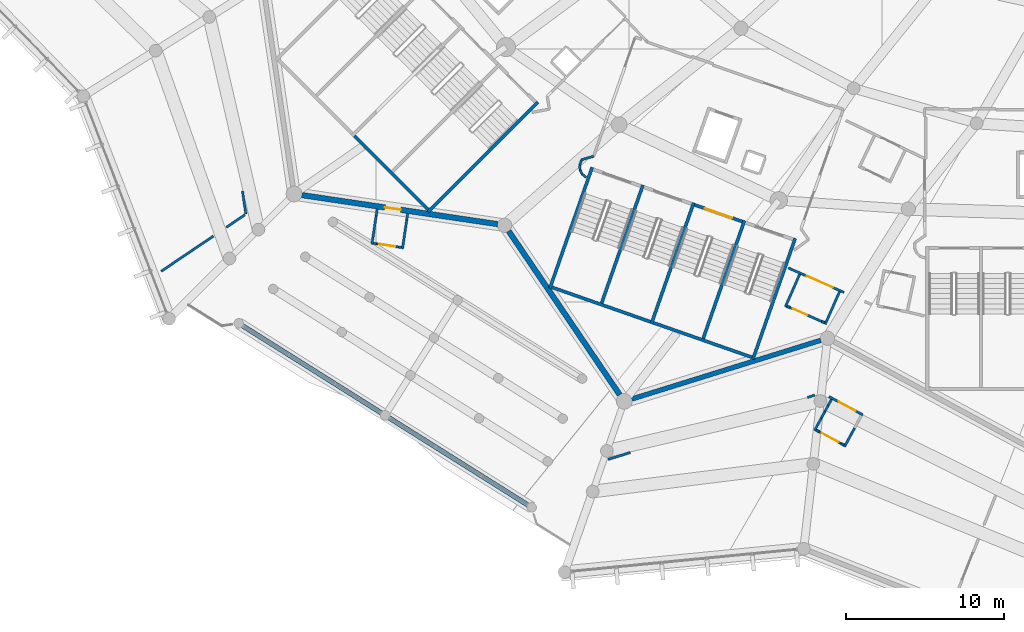
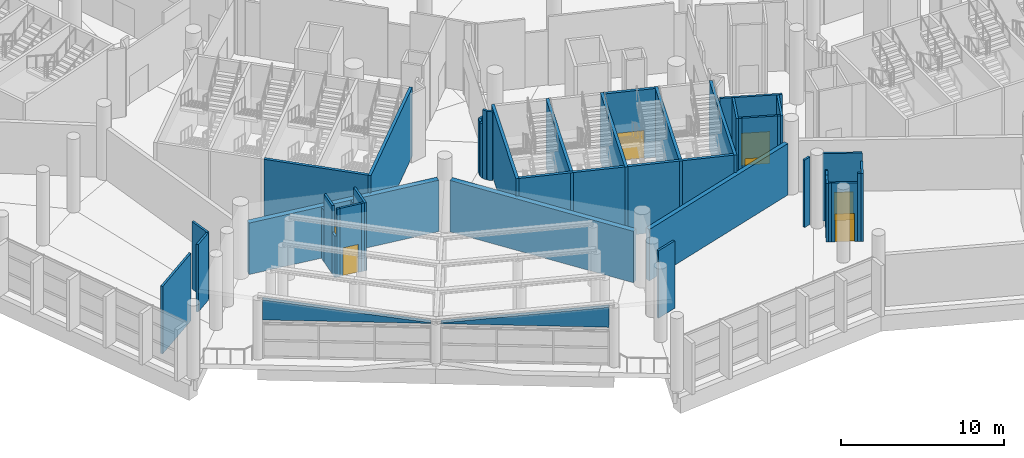
# One storey, part 157 of 271: 48 walls, 7 doors, 7 openings.
"""IFC4 building model written with IfcOpenShell, lengths in metres."""

from ifc_helpers import new_model, si_unit, direction, frame, frame_2d, origin, place, context, subcontext, project, spatial, polyline, rectangle, outline, extrude, material, layer, layer_set, type_object, element, fill, save


model = new_model("IFC4")

# Units and contexts
model_context = context("Model", 3, precision=1e-05, world=origin(), true_north=direction((0.0, 1.0)))
body_context = subcontext(model_context, "Body", "Model", "MODEL_VIEW")
ifc_project = project(units=[si_unit("LENGTHUNIT", "METRE"), si_unit("AREAUNIT", "SQUARE_METRE"), si_unit("VOLUMEUNIT", "CUBIC_METRE"), si_unit("PLANEANGLEUNIT", "RADIAN"), si_unit("MASSUNIT", "GRAM", prefix="KILO")], contexts=[model_context])

# Site, building, storey
site_placement = place(None, origin())
site = spatial("IfcSite", under=ifc_project, at=site_placement, CompositionType="ELEMENT")
building_placement = place(site_placement, origin())
building = spatial("IfcBuilding", under=site, at=building_placement, Name="Meseta Stadium", CompositionType="ELEMENT")
storey_placement = place(building_placement, frame((0.0, 0.0, 6.5)))
storey = spatial("IfcBuildingStorey", under=building, at=storey_placement, Name="L01", CompositionType="ELEMENT", Elevation=6.5)

# Walls
ifc_material_1 = material(Name="Concrete C40/50", Category="concrete")
ifc_layer_1 = layer(ifc_material_1, 0.199951171875)
ifc_layer_set_1 = layer_set([ifc_layer_1], Name="Core divider wall 200")
wall_type_1 = type_object("IfcWallType", Name="Core divider wall 200", PredefinedType="SHEAR", material=ifc_layer_set_1)
for number, where, z_axis, x_axis, name in (
    (1, (-65.789306640625, -96.260009765625, 0.0), (0.0, 0.0, 1.0), (0.330280610426, 0.943882788474, 0.0), "Core 22 L01 stair A divider wall"),
    (2, (-59.370849609375, -98.505859375, 0.0), (0.0, 0.0, 1.0), (0.330280610426, 0.943882788474, 0.0), "Core 22 L01 stair B divider wall"),
):
    element("IfcWall", number, at=place(storey_placement, frame(where, z_axis=z_axis, x_axis=x_axis)), inside=storey, type_object=wall_type_1, Name=name, PredefinedType="SHEAR", context=body_context, shape_type="SweptSolid", body=[
        extrude(rectangle(XDim=8.10009765625, YDim=0.199951171875, at=frame_2d((4.050048828125, 0.0))), origin(), (0.0, 0.0, 1.0), 5.14990234375),
    ])
ifc_material_2 = material(Name="Concrete C40/50", Category="concrete")
ifc_layer_2 = layer(ifc_material_2, 0.199951171875)
ifc_layer_set_2 = layer_set([ifc_layer_2], Name="Core shaft wall 200")
wall_type_2 = type_object("IfcWallType", Name="Core shaft wall 200", PredefinedType="SHEAR", material=ifc_layer_set_2)
wall_1_placement = place(storey_placement, frame((-76.6884765625, -90.30517578125, 0.0), z_axis=(0.0, 0.0, 1.0), x_axis=(0.707106781187, 0.707106781187, 0.0)))
element("IfcWall", 3, at=wall_1_placement, inside=storey, type_object=wall_type_2, Name="Core 21 L01 stair wall B-side", PredefinedType="SHEAR", context=body_context, shape_type="SweptSolid", body=[
    extrude(rectangle(XDim=9.800048828125, YDim=0.199951171875, at=frame_2d((4.89990234375, 0.0))), origin(), (0.0, 0.0, 1.0), 5.14990234375),
])
wall_2_placement = place(storey_placement, frame((-81.355224609375, -85.496826171875, 0.0), z_axis=(0.0, 0.0, 1.0), x_axis=(0.707088285305, -0.707125276584, 0.0)))
element("IfcWall", 4, at=wall_2_placement, inside=storey, type_object=wall_type_2, Name="Core 21 L01 stair B outer end wall", PredefinedType="SHEAR", context=body_context, shape_type="SweptSolid", body=[
    extrude(rectangle(XDim=6.599853515625, YDim=0.199951171875, at=frame_2d((3.2998046875, 0.0))), origin(), (0.0, 0.0, 1.0), 5.14990234375),
])
for number, where, z_axis, x_axis, name in (
    (5, (-68.998291015625, -95.136962890625, 0.0), (0.0, 0.0, 1.0), (0.330263153216, 0.943888896866, 0.0), "Core 22 L01 stair wall A-side"),
    (6, (-62.580078125, -97.3828125, 0.0), (0.0, 0.0, 1.0), (0.330290006891, 0.943879500438, 0.0), "Core 22 L01 stair wall shared"),
):
    element("IfcWall", number, at=place(storey_placement, frame(where, z_axis=z_axis, x_axis=x_axis)), inside=storey, type_object=wall_type_2, Name=name, PredefinedType="SHEAR", context=body_context, shape_type="SweptSolid", body=[
        extrude(rectangle(XDim=8.099853515625, YDim=0.199951171875, at=frame_2d((4.0498046875, 0.0))), origin(), (0.0, 0.0, 1.0), 5.14990234375),
    ])
wall_3_placement = place(storey_placement, frame((-56.16162109375, -99.62890625, 0.0), z_axis=(0.0, 0.0, 1.0), x_axis=(0.330280610426, 0.943882788474, 0.0)))
element("IfcWall", 7, at=wall_3_placement, inside=storey, type_object=wall_type_2, Name="Core 22 L01 stair wall B-side", PredefinedType="SHEAR", context=body_context, shape_type="SweptSolid", body=[
    extrude(rectangle(XDim=8.10009765625, YDim=0.199951171875, at=frame_2d((4.050048828125, 0.0))), origin(), (0.0, 0.0, 1.0), 5.14990234375),
])
for number, where, z_axis, x_axis, name in (
    (8, (-68.87109375, -95.07568359375, 0.0), (0.0, 0.0, 1.0), (0.943880844925, -0.330286164688, 0.0), "Core 22 L01 stair A outer end wall"),
    (9, (-62.45263671875, -97.321533203125, 0.0), (0.0, 0.0, 1.0), (0.943880844925, -0.330286164688, 0.0), "Core 22 L01 stair B outer end wall"),
):
    element("IfcWall", number, at=place(storey_placement, frame(where, z_axis=z_axis, x_axis=x_axis)), inside=storey, type_object=wall_type_2, Name=name, PredefinedType="SHEAR", context=body_context, shape_type="SweptSolid", body=[
        extrude(rectangle(XDim=6.60009765625, YDim=0.199951171875, at=frame_2d((3.300048828125, 0.0))), origin(), (0.0, 0.0, 1.0), 5.14990234375),
    ])

# Wall, opening, door
wall_4_placement = place(storey_placement, frame((-59.843505859375, -89.864990234375, 0.0), z_axis=(0.0, 0.0, 1.0), x_axis=(0.943886898693, -0.330268863922, 0.0)))
wall_4 = element("IfcWall", 10, at=wall_4_placement, inside=storey, type_object=wall_type_2, Name="Core 22 L01 stair B1 inner end wall", PredefinedType="SHEAR", context=body_context, shape_type="SweptSolid", body=[
    extrude(rectangle(XDim=3.2001953125, YDim=0.199951171875, at=frame_2d((1.60009765625, 0.0))), origin(), (0.0, 0.0, 1.0), 5.14990234375),
])
opening_1_placement = place(wall_4_placement, frame((0.699951171875, 0.0, 0.0)))
opening_1 = element("IfcOpeningElement", 11, at=opening_1_placement, cuts=wall_4, Name="Opening D303", PredefinedType="OPENING", context=body_context, shape_type="SweptSolid", body=[
    extrude(rectangle(XDim=1.800048828125, YDim=2.10009765625, at=frame_2d((0.89990234375, 1.050048828125))), frame((0.0, 0.10986328125, 0.0), z_axis=(0.0, -1.0, 0.0), x_axis=(1.0, 0.0, 0.0)), (0.0, 0.0, 1.0), 0.219970703125),
])
ifc_material_3 = material(Name="Steel", Category="steel")
door_type_1 = type_object("IfcDoorType", Name="Stair door 1800x2100", OperationType="DOUBLE_DOOR_SINGLE_SWING", PredefinedType="DOOR", material=ifc_material_3)
door_1_placement = place(opening_1_placement, origin())
door_1 = element("IfcDoor", 12, at=door_1_placement, inside=storey, type_object=door_type_1, Name="Stair B1 door 22 L01", OperationType="DOUBLE_DOOR_SINGLE_SWING", OverallHeight=2.10009765625, OverallWidth=1.800048828125, PredefinedType="DOOR", context=body_context, shape_type="SweptSolid", body=[
    extrude(rectangle(XDim=1.800048828125, YDim=2.10009765625, at=frame_2d((0.89990234375, 1.050048828125))), frame((0.0, 0.02490234375, 0.0), z_axis=(0.0, -1.0, 0.0), x_axis=(1.0, 0.0, 0.0)), (0.0, 0.0, 1.0), 0.050048828125),
])
fill(opening_1, door_1)

# Walls
ifc_material_4 = material(Name="Precast concrete C40/50", Category="concrete")
ifc_layer_3 = layer(ifc_material_4, 0.300048828125)
ifc_layer_set_3 = layer_set([ifc_layer_3], Name="Gate facade panel wall 300")
wall_type_3 = type_object("IfcWallType", Name="Gate facade panel wall 300", PredefinedType="SOLIDWALL", material=ifc_layer_set_3)
wall_5_placement = place(storey_placement, frame((-88.415283203125, -97.516845703125, 2.924560546875), z_axis=(0.0, 0.0, 1.0), x_axis=(0.846725649112, -0.532029769032, 0.0)))
element("IfcWall", 13, at=wall_5_placement, inside=storey, type_object=wall_type_3, Name="Gate 6 gable panel wall", PredefinedType="SOLIDWALL", context=body_context, shape_type="SweptSolid", body=[
    extrude(outline(polyline([(0.0, 0.0), (10.333740234375, 0.0), (10.333740234375, 0.052001953125), (0.0, 1.498779296875), (0.0, 0.0)])), frame((0.0, 0.14990234375, 0.0), z_axis=(0.0, -1.0, 0.0), x_axis=(1.0, 0.0, 0.0)), (0.0, 0.0, 1.0), 0.300048828125),
])
wall_6_placement = place(storey_placement, frame((-79.15771484375, -103.333984375, 2.924560546875), z_axis=(0.0, 0.0, 1.0), x_axis=(0.846732336333, -0.532019126168, 0.0)))
element("IfcWall", 14, at=wall_6_placement, inside=storey, type_object=wall_type_3, Name="Gate 6 gable panel wall", PredefinedType="SOLIDWALL", context=body_context, shape_type="SweptSolid", body=[
    extrude(outline(polyline([(0.0, 0.0), (10.333740234375, 0.0), (10.333740234375, 1.498779296875), (0.0, 0.052001953125), (0.0, 0.0)])), frame((0.0, 0.14990234375, 0.0), z_axis=(0.0, -1.0, 0.0), x_axis=(1.0, 0.0, 0.0)), (0.0, 0.0, 1.0), 0.300048828125),
])

# Wall, opening, door
ifc_material_5 = material(Name="Masonry blockwork", Category="masonry")
ifc_layer_4 = layer(ifc_material_5, 0.14990234375)
ifc_layer_set_4 = layer_set([ifc_layer_4], Name="Partition 150")
wall_type_4 = type_object("IfcWallType", Name="Partition 150", PredefinedType="PARTITIONING", material=ifc_layer_set_4)
wall_7_placement = place(storey_placement, frame((-53.927490234375, -93.849853515625, 0.0), z_axis=(0.0, 0.0, 1.0), x_axis=(0.915527241614, -0.402255975546, 0.0)))
wall_7 = element("IfcWall", 15, at=wall_7_placement, inside=storey, type_object=wall_type_4, Name="Partition L01 L01-cell21-2-0", PredefinedType="PARTITIONING", context=body_context, shape_type="SweptSolid", body=[
    extrude(rectangle(XDim=3.8486328125, YDim=0.14990234375, at=frame_2d((1.92431640625, 0.0))), origin(), (0.0, 0.0, 1.0), 5.14990234375),
])
opening_2_placement = place(wall_7_placement, frame((1.300048828125, 0.0, 0.0)))
opening_2 = element("IfcOpeningElement", 16, at=opening_2_placement, cuts=wall_7, Name="Opening D993", PredefinedType="OPENING", context=body_context, shape_type="SweptSolid", body=[
    extrude(rectangle(XDim=1.800048828125, YDim=2.39990234375, at=frame_2d((0.89990234375, 1.199951171875))), frame((0.0, 0.0849609375, 0.0), z_axis=(0.0, -1.0, 0.0), x_axis=(1.0, 0.0, 0.0)), (0.0, 0.0, 1.0), 0.169921875),
])
ifc_material_6 = material(Name="Steel", Category="steel")
door_type_2 = type_object("IfcDoorType", Name="Fire double door 1800x2400 EI2 60", OperationType="DOUBLE_DOOR_SINGLE_SWING", PredefinedType="DOOR", material=ifc_material_6)
door_2_placement = place(opening_2_placement, origin())
door_2 = element("IfcDoor", 17, at=door_2_placement, inside=storey, type_object=door_type_2, Name="Concourse door", OperationType="DOUBLE_DOOR_SINGLE_SWING", OverallHeight=2.39990234375, OverallWidth=1.800048828125, PredefinedType="DOOR", context=body_context, shape_type="SweptSolid", body=[
    extrude(rectangle(XDim=1.800048828125, YDim=2.39990234375, at=frame_2d((0.89990234375, 1.199951171875))), frame((0.0, 0.02490234375, 0.0), z_axis=(0.0, -1.0, 0.0), x_axis=(1.0, 0.0, 0.0)), (0.0, 0.0, 1.0), 0.050048828125),
])
fill(opening_2, door_2)

# Walls
wall_8_placement = place(storey_placement, frame((-88.4375, -88.9794921875, 0.0), z_axis=(0.0, 0.0, 1.0), x_axis=(0.146804847774, -0.989165474868, 0.0)))
element("IfcWall", 18, at=wall_8_placement, inside=storey, type_object=wall_type_4, Name="Partition L01 L01-ring19-0", PredefinedType="PARTITIONING", context=body_context, shape_type="SweptSolid", body=[
    extrude(rectangle(XDim=1.485107421875, YDim=0.14990234375, at=frame_2d((0.74267578125, 0.0))), origin(), (0.0, 0.0, 1.0), 5.050048828125),
])
wall_9_placement = place(storey_placement, frame((-88.288330078125, -90.4951171875, 0.0), z_axis=(0.0, 0.0, 1.0), x_axis=(-0.828834599632, -0.559493705464, 0.0)))
element("IfcWall", 19, at=wall_9_placement, inside=storey, type_object=wall_type_4, Name="Partition L01 L01-ring19-0", PredefinedType="PARTITIONING", context=body_context, shape_type="SweptSolid", body=[
    extrude(rectangle(XDim=1.40771484375, YDim=0.14990234375, at=frame_2d((0.703857421875, 0.0))), origin(), (0.0, 0.0, 1.0), 5.050048828125),
])
wall_10_placement = place(storey_placement, frame((-90.278564453125, -91.838623046875, 0.0), z_axis=(0.0, 0.0, 1.0), x_axis=(-0.828823753048, -0.559509773269, 0.0)))
element("IfcWall", 20, at=wall_10_placement, inside=storey, type_object=wall_type_4, Name="Partition L01 L01-ring19-0", PredefinedType="PARTITIONING", context=body_context, shape_type="SweptSolid", body=[
    extrude(rectangle(XDim=3.97509765625, YDim=0.14990234375, at=frame_2d((1.987548828125, 0.0))), origin(), (0.0, 0.0, 1.0), 5.050048828125),
])
wall_11_placement = place(storey_placement, frame((-65.31591796875, -105.958984375, 0.0), z_axis=(0.0, 0.0, 1.0), x_axis=(0.954867270895, 0.297032818008, 0.0)))
element("IfcWall", 21, at=wall_11_placement, inside=storey, type_object=wall_type_4, Name="Partition L01 L01-ring21-0", PredefinedType="PARTITIONING", context=body_context, shape_type="SweptSolid", body=[
    extrude(rectangle(XDim=1.46630859375, YDim=0.14990234375, at=frame_2d((0.733154296875, 0.0))), origin(), (0.0, 0.0, 1.0), 5.050048828125),
])
wall_12_placement = place(storey_placement, frame((-52.713623046875, -102.041015625, 0.0), z_axis=(0.0, 0.0, 1.0), x_axis=(0.954976336525, 0.296681979025, 0.0)))
element("IfcWall", 22, at=wall_12_placement, inside=storey, type_object=wall_type_4, Name="Partition L01 L01-ring21-0", PredefinedType="PARTITIONING", context=body_context, shape_type="SweptSolid", body=[
    extrude(rectangle(XDim=0.48876953125, YDim=0.14990234375, at=frame_2d((0.244384765625, 0.0))), origin(), (0.0, 0.0, 1.0), 5.050048828125),
])

# Wall, opening, door
wall_13_placement = place(storey_placement, frame((-51.351318359375, -101.983154296875, 0.0), z_axis=(0.0, 0.0, 1.0), x_axis=(0.879139929893, -0.476563724666, 0.0)))
wall_13 = element("IfcWall", 23, at=wall_13_placement, inside=storey, type_object=wall_type_4, Name="Partition L01 L01-ring21-0", PredefinedType="PARTITIONING", context=body_context, shape_type="SweptSolid", body=[
    extrude(rectangle(XDim=2.4384765625, YDim=0.14990234375, at=frame_2d((1.21923828125, 0.0))), origin(), (0.0, 0.0, 1.0), 5.050048828125),
])
opening_3_placement = place(wall_13_placement, frame((0.699951171875, 0.0, 0.0)))
opening_3 = element("IfcOpeningElement", 24, at=opening_3_placement, cuts=wall_13, Name="Opening D699", PredefinedType="OPENING", context=body_context, shape_type="SweptSolid", body=[
    extrude(rectangle(XDim=1.199951171875, YDim=2.10009765625, at=frame_2d((0.60009765625, 1.050048828125))), frame((0.0, 0.0849609375, 0.0), z_axis=(0.0, -1.0, 0.0), x_axis=(1.0, 0.0, 0.0)), (0.0, 0.0, 1.0), 0.169921875),
])
ifc_material_7 = material(Name="Steel", Category="steel")
door_type_3 = type_object("IfcDoorType", Name="Fire door 1200x2100 EI2 60", OperationType="NOTDEFINED", PredefinedType="DOOR", material=ifc_material_7)
door_3_placement = place(opening_3_placement, origin())
door_3 = element("IfcDoor", 25, at=door_3_placement, inside=storey, type_object=door_type_3, Name="Door D699", OperationType="SINGLE_SWING_RIGHT", OverallHeight=2.10009765625, OverallWidth=1.199951171875, PredefinedType="DOOR", context=body_context, shape_type="SweptSolid", body=[
    extrude(rectangle(XDim=1.199951171875, YDim=2.10009765625, at=frame_2d((0.60009765625, 1.050048828125))), frame((0.0, 0.02490234375, 0.0), z_axis=(0.0, -1.0, 0.0), x_axis=(1.0, 0.0, 0.0)), (0.0, 0.0, 1.0), 0.050048828125),
])
fill(opening_3, door_3)

# Walls
wall_14_placement = place(storey_placement, frame((-66.99853515625, -87.010009765625, 0.0), z_axis=(0.0, 0.0, 1.0), x_axis=(-0.293078832254, -0.956088279441, 0.0)))
element("IfcWall", 26, at=wall_14_placement, inside=storey, type_object=wall_type_4, Name="Stair vestibule wall L01 core 22", PredefinedType="PARTITIONING", context=body_context, shape_type="SweptSolid", body=[
    extrude(rectangle(XDim=0.374755859375, YDim=0.14990234375, at=frame_2d((0.1875, 0.0))), origin(), (0.0, 0.0, 1.0), 4.050048828125),
])
wall_15_placement = place(storey_placement, frame((-67.1083984375, -87.368408203125, 0.0), z_axis=(0.0, 0.0, 1.0), x_axis=(0.056285305436, -0.998414725649, 0.0)))
element("IfcWall", 27, at=wall_15_placement, inside=storey, type_object=wall_type_4, Name="Stair vestibule wall L01 core 22", PredefinedType="PARTITIONING", context=body_context, shape_type="SweptSolid", body=[
    extrude(rectangle(XDim=0.281982421875, YDim=0.14990234375, at=frame_2d((0.14111328125, 0.0))), origin(), (0.0, 0.0, 1.0), 4.050048828125),
])
wall_16_placement = place(storey_placement, frame((-67.092529296875, -87.64990234375, 0.0), z_axis=(0.0, 0.0, 1.0), x_axis=(0.43378984255, -0.901014080079, 0.0)))
element("IfcWall", 28, at=wall_16_placement, inside=storey, type_object=wall_type_4, Name="Stair vestibule wall L01 core 22", PredefinedType="PARTITIONING", context=body_context, shape_type="SweptSolid", body=[
    extrude(rectangle(XDim=0.28466796875, YDim=0.14990234375, at=frame_2d((0.142333984375, 0.0))), origin(), (0.0, 0.0, 1.0), 5.14990234375),
])
wall_17_placement = place(storey_placement, frame((-66.968994140625, -87.906494140625, 0.0), z_axis=(0.0, 0.0, 1.0), x_axis=(0.770463975756, -0.63748353866, 0.0)))
element("IfcWall", 29, at=wall_17_placement, inside=storey, type_object=wall_type_4, Name="Stair vestibule wall L01 core 22", PredefinedType="PARTITIONING", context=body_context, shape_type="SweptSolid", body=[
    extrude(rectangle(XDim=0.356201171875, YDim=0.14990234375, at=frame_2d((0.17822265625, 0.0))), origin(), (0.0, 0.0, 1.0), 5.14990234375),
])
wall_18_placement = place(storey_placement, frame((-66.231689453125, -86.791748046875, 0.0), z_axis=(0.0, 0.0, 1.0), x_axis=(-0.962031488022, -0.27293848401, 0.0)))
element("IfcWall", 30, at=wall_18_placement, inside=storey, type_object=wall_type_4, Name="Stair vestibule wall L01 core 22", PredefinedType="PARTITIONING", context=body_context, shape_type="SweptSolid", body=[
    extrude(rectangle(XDim=0.796142578125, YDim=0.14990234375, at=frame_2d((0.39794921875, 0.0))), origin(), (0.0, 0.0, 1.0), 4.050048828125),
])
wall_19_placement = place(storey_placement, frame((-77.989990234375, -90.417236328125, 0.0), z_axis=(0.0, 0.0, 1.0), x_axis=(-0.147040245885, -0.98913051014, 0.0)))
element("IfcWall", 31, at=wall_19_placement, inside=storey, type_object=wall_type_4, Name="Partition L01 G6-L01-0-GateLounge-0 vestibule", PredefinedType="PARTITIONING", context=body_context, shape_type="SweptSolid", body=[
    extrude(rectangle(XDim=0.449951171875, YDim=0.14990234375, at=frame_2d((0.22509765625, 0.0))), origin(), (0.0, 0.0, 1.0), 3.85009765625),
])
wall_20_placement = place(storey_placement, frame((-78.05615234375, -90.8623046875, 0.0), z_axis=(0.0, 0.0, 1.0), x_axis=(-0.146755111639, -0.98917285507, 0.0)))
element("IfcWall", 32, at=wall_20_placement, inside=storey, type_object=wall_type_4, Name="Partition L01 G6-L01-0-GateLounge-0 vestibule", PredefinedType="PARTITIONING", context=body_context, shape_type="SweptSolid", body=[
    extrude(rectangle(XDim=1.800048828125, YDim=0.14990234375, at=frame_2d((0.89990234375, 0.0))), origin(), (0.0, 0.0, 1.0), 5.10009765625),
])
wall_21_placement = place(storey_placement, frame((-79.918701171875, -90.130859375, 0.0), z_axis=(0.0, 0.0, 1.0), x_axis=(-0.147040245885, -0.98913051014, 0.0)))
element("IfcWall", 33, at=wall_21_placement, inside=storey, type_object=wall_type_4, Name="Partition L01 G6-L01-0-GateLounge-0 vestibule", PredefinedType="PARTITIONING", context=body_context, shape_type="SweptSolid", body=[
    extrude(rectangle(XDim=0.449951171875, YDim=0.14990234375, at=frame_2d((0.22509765625, 0.0))), origin(), (0.0, 0.0, 1.0), 3.85009765625),
])
wall_22_placement = place(storey_placement, frame((-79.98486328125, -90.575927734375, 0.0), z_axis=(0.0, 0.0, 1.0), x_axis=(-0.146837017969, -0.989160699863, 0.0)))
element("IfcWall", 34, at=wall_22_placement, inside=storey, type_object=wall_type_4, Name="Partition L01 G6-L01-0-GateLounge-0 vestibule", PredefinedType="PARTITIONING", context=body_context, shape_type="SweptSolid", body=[
    extrude(rectangle(XDim=1.35009765625, YDim=0.14990234375, at=frame_2d((0.675048828125, 0.0))), origin(), (0.0, 0.0, 1.0), 5.10009765625),
])
wall_23_placement = place(storey_placement, frame((-80.18310546875, -91.911376953125, 0.0), z_axis=(0.0, 0.0, 1.0), x_axis=(-0.147040245885, -0.98913051014, 0.0)))
element("IfcWall", 35, at=wall_23_placement, inside=storey, type_object=wall_type_4, Name="Partition L01 G6-L01-0-GateLounge-0 vestibule", PredefinedType="PARTITIONING", context=body_context, shape_type="SweptSolid", body=[
    extrude(rectangle(XDim=0.449951171875, YDim=0.14990234375, at=frame_2d((0.22509765625, 0.0))), origin(), (0.0, 0.0, 1.0), 3.106689453125),
])
wall_24_placement = place(storey_placement, frame((-80.1640625, -92.293212890625, 0.0), z_axis=(0.0, 0.0, 1.0), x_axis=(0.989203462354, -0.146548661089, 0.0)))
element("IfcWall", 36, at=wall_24_placement, inside=storey, type_object=wall_type_4, Name="Partition L01 G6-L01-0-GateLounge-0 vestibule", PredefinedType="PARTITIONING", context=body_context, shape_type="SweptSolid", body=[
    extrude(rectangle(XDim=0.199951171875, YDim=0.14990234375, at=frame_2d((0.10009765625, 0.0))), origin(), (0.0, 0.0, 1.0), 5.10009765625),
])

# Wall, opening, door
wall_25_placement = place(storey_placement, frame((-79.96630859375, -92.322509765625, 0.0), z_axis=(0.0, 0.0, 1.0), x_axis=(0.989138771508, -0.146984661446, 0.0)))
wall_25 = element("IfcWall", 37, at=wall_25_placement, inside=storey, type_object=wall_type_4, Name="Partition L01 G6-L01-0-GateLounge-0 vestibule", PredefinedType="PARTITIONING", context=body_context, shape_type="SweptSolid", body=[
    extrude(rectangle(XDim=1.400146484375, YDim=0.14990234375, at=frame_2d((0.7001953125, 0.0))), origin(), (0.0, 0.0, 1.0), 5.10009765625),
])
opening_4_placement = place(wall_25_placement, frame((0.199951171875, 0.0, 0.0)))
opening_4 = element("IfcOpeningElement", 38, at=opening_4_placement, cuts=wall_25, Name="Opening D816", PredefinedType="OPENING", context=body_context, shape_type="SweptSolid", body=[
    extrude(rectangle(XDim=1.0, YDim=2.10009765625, at=frame_2d((0.5, 1.050048828125))), frame((0.0, 0.0849609375, 0.0), z_axis=(0.0, -1.0, 0.0), x_axis=(1.0, 0.0, 0.0)), (0.0, 0.0, 1.0), 0.169921875),
])
ifc_material_8 = material(Name="Steel", Category="steel")
door_type_4 = type_object("IfcDoorType", Name="Fire door 1000x2100 EI2 60", OperationType="NOTDEFINED", PredefinedType="DOOR", material=ifc_material_8)
door_4_placement = place(opening_4_placement, origin())
door_4 = element("IfcDoor", 39, at=door_4_placement, inside=storey, type_object=door_type_4, Name="Vestibule door L01 G6-L01-0-GateLounge-0", OperationType="SINGLE_SWING_LEFT", OverallHeight=2.10009765625, OverallWidth=1.0, PredefinedType="DOOR", context=body_context, shape_type="SweptSolid", body=[
    extrude(rectangle(XDim=1.0, YDim=2.10009765625, at=frame_2d((0.5, 1.050048828125))), frame((0.0, 0.02490234375, 0.0), z_axis=(0.0, -1.0, 0.0), x_axis=(1.0, 0.0, 0.0)), (0.0, 0.0, 1.0), 0.050048828125),
])
fill(opening_4, door_4)

# Walls
wall_26_placement = place(storey_placement, frame((-78.581298828125, -92.5283203125, 0.0), z_axis=(0.0, 0.0, 1.0), x_axis=(0.989203462354, -0.146548661089, 0.0)))
element("IfcWall", 40, at=wall_26_placement, inside=storey, type_object=wall_type_4, Name="Partition L01 G6-L01-0-GateLounge-0 vestibule", PredefinedType="PARTITIONING", context=body_context, shape_type="SweptSolid", body=[
    extrude(rectangle(XDim=0.199951171875, YDim=0.14990234375, at=frame_2d((0.10009765625, 0.0))), origin(), (0.0, 0.0, 1.0), 5.10009765625),
])
wall_27_placement = place(storey_placement, frame((-53.202392578125, -94.25048828125, 0.0), z_axis=(0.0, 0.0, 1.0), x_axis=(-0.402258540578, -0.91552611461, 0.0)))
element("IfcWall", 41, at=wall_27_placement, inside=storey, type_object=wall_type_4, Name="Partition L01 L01-cell21-2-0 vestibule", PredefinedType="PARTITIONING", context=body_context, shape_type="SweptSolid", body=[
    extrude(rectangle(XDim=2.249755859375, YDim=0.14990234375, at=frame_2d((1.125, 0.0))), origin(), (0.0, 0.0, 1.0), 5.14990234375),
])
wall_28_placement = place(storey_placement, frame((-50.684814453125, -95.3564453125, 0.0), z_axis=(0.0, 0.0, 1.0), x_axis=(-0.402127626208, -0.915583623838, 0.0)))
element("IfcWall", 42, at=wall_28_placement, inside=storey, type_object=wall_type_4, Name="Partition L01 L01-cell21-2-0 vestibule", PredefinedType="PARTITIONING", context=body_context, shape_type="SweptSolid", body=[
    extrude(rectangle(XDim=2.25, YDim=0.14990234375, at=frame_2d((1.125, 0.0))), origin(), (0.0, 0.0, 1.0), 5.14990234375),
])
wall_29_placement = place(storey_placement, frame((-54.008544921875, -96.27197265625, 0.0), z_axis=(0.0, 0.0, 1.0), x_axis=(0.915764568474, -0.401715390704, 0.0)))
element("IfcWall", 43, at=wall_29_placement, inside=storey, type_object=wall_type_4, Name="Partition L01 L01-cell21-2-0 vestibule", PredefinedType="PARTITIONING", context=body_context, shape_type="SweptSolid", body=[
    extrude(rectangle(XDim=0.199951171875, YDim=0.14990234375, at=frame_2d((0.10009765625, 0.0))), origin(), (0.0, 0.0, 1.0), 5.14990234375),
])

# Wall, opening, door
wall_30_placement = place(storey_placement, frame((-53.825439453125, -96.352294921875, 0.0), z_axis=(0.0, 0.0, 1.0), x_axis=(0.915519454023, -0.402273699495, 0.0)))
wall_30 = element("IfcWall", 44, at=wall_30_placement, inside=storey, type_object=wall_type_4, Name="Partition L01 L01-cell21-2-0 vestibule", PredefinedType="PARTITIONING", context=body_context, shape_type="SweptSolid", body=[
    extrude(rectangle(XDim=2.199951171875, YDim=0.14990234375, at=frame_2d((1.10009765625, 0.0))), origin(), (0.0, 0.0, 1.0), 5.14990234375),
])
opening_5_placement = place(wall_30_placement, frame((0.199951171875, 0.0, 0.0)))
opening_5 = element("IfcOpeningElement", 45, at=opening_5_placement, cuts=wall_30, Name="Opening D913", PredefinedType="OPENING", context=body_context, shape_type="SweptSolid", body=[
    extrude(rectangle(XDim=1.0, YDim=2.10009765625, at=frame_2d((0.5, 1.050048828125))), frame((0.0, 0.0849609375, 0.0), z_axis=(0.0, -1.0, 0.0), x_axis=(1.0, 0.0, 0.0)), (0.0, 0.0, 1.0), 0.169921875),
])
door_5_placement = place(opening_5_placement, origin())
door_5 = element("IfcDoor", 46, at=door_5_placement, inside=storey, type_object=door_type_4, Name="Vestibule door L01 L01-cell21-2-0", OperationType="SINGLE_SWING_LEFT", OverallHeight=2.10009765625, OverallWidth=1.0, PredefinedType="DOOR", context=body_context, shape_type="SweptSolid", body=[
    extrude(rectangle(XDim=1.0, YDim=2.10009765625, at=frame_2d((0.5, 1.050048828125))), frame((0.0, 0.02490234375, 0.0), z_axis=(0.0, -1.0, 0.0), x_axis=(1.0, 0.0, 0.0)), (0.0, 0.0, 1.0), 0.050048828125),
])
fill(opening_5, door_5)

# Walls
wall_31_placement = place(storey_placement, frame((-51.811279296875, -97.2373046875, 0.0), z_axis=(0.0, 0.0, 1.0), x_axis=(0.915764568474, -0.401715390704, 0.0)))
element("IfcWall", 47, at=wall_31_placement, inside=storey, type_object=wall_type_4, Name="Partition L01 L01-cell21-2-0 vestibule", PredefinedType="PARTITIONING", context=body_context, shape_type="SweptSolid", body=[
    extrude(rectangle(XDim=0.199951171875, YDim=0.14990234375, at=frame_2d((0.10009765625, 0.0))), origin(), (0.0, 0.0, 1.0), 5.14990234375),
])
for number, where, z_axis, x_axis, name in (
    (48, (-51.189208984375, -102.156494140625, 0.0), (0.0, 0.0, 1.0), (-0.476912253193, -0.878950910321, 0.0), "Partition L01 L01-ring21-0 vestibule"),
    (49, (-51.40380859375, -102.552001953125, 0.0), (0.0, 0.0, 1.0), (-0.476492931446, -0.879178301758, 0.0), "Partition L01 L01-ring21-0 vestibule"),
):
    element("IfcWall", number, at=place(storey_placement, frame(where, z_axis=z_axis, x_axis=x_axis)), inside=storey, type_object=wall_type_4, Name=name, PredefinedType="PARTITIONING", context=body_context, shape_type="SweptSolid", body=[
        extrude(rectangle(XDim=0.449951171875, YDim=0.14990234375, at=frame_2d((0.22509765625, 0.0))), origin(), (0.0, 0.0, 1.0), 3.85009765625),
    ])
wall_32_placement = place(storey_placement, frame((-51.6181640625, -102.947509765625, 0.0), z_axis=(0.0, 0.0, 1.0), x_axis=(-0.476265673746, -0.879301431826, 0.0)))
element("IfcWall", 50, at=wall_32_placement, inside=storey, type_object=wall_type_4, Name="Partition L01 L01-ring21-0 vestibule", PredefinedType="PARTITIONING", context=body_context, shape_type="SweptSolid", body=[
    extrude(rectangle(XDim=0.4501953125, YDim=0.14990234375, at=frame_2d((0.22509765625, 0.0))), origin(), (0.0, 0.0, 1.0), 4.39990234375),
])
wall_33_placement = place(storey_placement, frame((-51.83251953125, -103.34326171875, 0.0), z_axis=(0.0, 0.0, 1.0), x_axis=(-0.476588960395, -0.879126249653, 0.0)))
element("IfcWall", 51, at=wall_33_placement, inside=storey, type_object=wall_type_4, Name="Partition L01 L01-ring21-0 vestibule", PredefinedType="PARTITIONING", context=body_context, shape_type="SweptSolid", body=[
    extrude(rectangle(XDim=0.900146484375, YDim=0.14990234375, at=frame_2d((0.4501953125, 0.0))), origin(), (0.0, 0.0, 1.0), 4.39990234375),
])
wall_34_placement = place(storey_placement, frame((-49.72802734375, -103.97216796875, 0.0), z_axis=(0.0, 0.0, 1.0), x_axis=(-0.476481197488, -0.879184661172, 0.0)))
element("IfcWall", 52, at=wall_34_placement, inside=storey, type_object=wall_type_4, Name="Partition L01 L01-ring21-0 vestibule", PredefinedType="PARTITIONING", context=body_context, shape_type="SweptSolid", body=[
    extrude(rectangle(XDim=1.35009765625, YDim=0.14990234375, at=frame_2d((0.675048828125, 0.0))), origin(), (0.0, 0.0, 1.0), 5.10009765625),
])
wall_35_placement = place(storey_placement, frame((-52.159912109375, -104.104248046875, 0.0), z_axis=(0.0, 0.0, 1.0), x_axis=(0.879568553605, -0.475772171853, 0.0)))
element("IfcWall", 53, at=wall_35_placement, inside=storey, type_object=wall_type_4, Name="Partition L01 L01-ring21-0 vestibule", PredefinedType="PARTITIONING", context=body_context, shape_type="SweptSolid", body=[
    extrude(rectangle(XDim=0.2001953125, YDim=0.14990234375, at=frame_2d((0.10009765625, 0.0))), origin(), (0.0, 0.0, 1.0), 4.39990234375),
])

# Wall, opening, door
wall_36_placement = place(storey_placement, frame((-51.98388671875, -104.199462890625, 0.0), z_axis=(0.0, 0.0, 1.0), x_axis=(0.879070872432, -0.476691096247, 0.0)))
wall_36 = element("IfcWall", 54, at=wall_36_placement, inside=storey, type_object=wall_type_4, Name="Partition L01 L01-ring21-0 vestibule", PredefinedType="PARTITIONING", context=body_context, shape_type="SweptSolid", body=[
    extrude(rectangle(XDim=1.60009765625, YDim=0.14990234375, at=frame_2d((0.800048828125, 0.0))), origin(), (0.0, 0.0, 1.0), 4.39990234375),
])
opening_6_placement = place(wall_36_placement, frame((0.199951171875, 0.0, 0.0)))
opening_6 = element("IfcOpeningElement", 55, at=opening_6_placement, cuts=wall_36, Name="Opening D927", PredefinedType="OPENING", context=body_context, shape_type="SweptSolid", body=[
    extrude(rectangle(XDim=1.199951171875, YDim=2.10009765625, at=frame_2d((0.60009765625, 1.050048828125))), frame((0.0, 0.0849609375, 0.0), z_axis=(0.0, -1.0, 0.0), x_axis=(1.0, 0.0, 0.0)), (0.0, 0.0, 1.0), 0.169921875),
])
door_6_placement = place(opening_6_placement, origin())
door_6 = element("IfcDoor", 56, at=door_6_placement, inside=storey, type_object=door_type_3, Name="Vestibule door L01 L01-ring21-0", OperationType="SINGLE_SWING_RIGHT", OverallHeight=2.10009765625, OverallWidth=1.199951171875, PredefinedType="DOOR", context=body_context, shape_type="SweptSolid", body=[
    extrude(rectangle(XDim=1.199951171875, YDim=2.10009765625, at=frame_2d((0.60009765625, 1.050048828125))), frame((0.0, 0.02490234375, 0.0), z_axis=(0.0, -1.0, 0.0), x_axis=(1.0, 0.0, 0.0)), (0.0, 0.0, 1.0), 0.050048828125),
])
fill(opening_6, door_6)

# Walls
wall_37_placement = place(storey_placement, frame((-50.577392578125, -104.962158203125, 0.0), z_axis=(0.0, 0.0, 1.0), x_axis=(0.879291966537, -0.476283148541, 0.0)))
element("IfcWall", 57, at=wall_37_placement, inside=storey, type_object=wall_type_4, Name="Partition L01 L01-ring21-0 vestibule", PredefinedType="PARTITIONING", context=body_context, shape_type="SweptSolid", body=[
    extrude(rectangle(XDim=0.199951171875, YDim=0.14990234375, at=frame_2d((0.10009765625, 0.0))), origin(), (0.0, 0.0, 1.0), 5.10009765625),
])
ifc_material_9 = material(Name="White precast concrete C40/50", Category="concrete")
ifc_layer_5 = layer(ifc_material_9, 0.300048828125)
ifc_layer_set_5 = layer_set([ifc_layer_5], Name="Pleated panel wall 300 concourse")
wall_type_5 = type_object("IfcWallType", Name="Pleated panel wall 300 concourse", PredefinedType="SOLIDWALL", material=ifc_layer_set_5)
wall_38_placement = place(storey_placement, frame((-51.87109375, -98.427978515625, 0.0), z_axis=(0.0, 0.0, 1.0), x_axis=(-0.954916036354, -0.29687600697, 0.0)))
element("IfcWall", 58, at=wall_38_placement, inside=storey, type_object=wall_type_5, Name="Pleated facade panel L01 F42", PredefinedType="SOLIDWALL", context=body_context, shape_type="SweptSolid", body=[
    extrude(rectangle(XDim=12.51318359375, YDim=0.300048828125, at=frame_2d((6.256591796875, 0.0))), origin(), (0.0, 0.0, 1.0), 3.85009765625),
])

# Wall, opening, door
ifc_material_10 = material(Name="White precast concrete C40/50", Category="concrete")
ifc_layer_6 = layer(ifc_material_10, 0.35009765625)
ifc_layer_set_6 = layer_set([ifc_layer_6], Name="Pleated panel wall 350 gate")
wall_type_6 = type_object("IfcWallType", Name="Pleated panel wall 350 gate", PredefinedType="SOLIDWALL", material=ifc_layer_set_6)
wall_39_placement = place(storey_placement, frame((-72.30126953125, -91.084716796875, 0.0), z_axis=(0.0, 0.0, 1.0), x_axis=(-0.989159318747, 0.14684632149, 0.0)))
wall_39 = element("IfcWall", 59, at=wall_39_placement, inside=storey, type_object=wall_type_6, Name="Pleated facade panel L01 F40", PredefinedType="SOLIDWALL", context=body_context, shape_type="SweptSolid", body=[
    extrude(rectangle(XDim=12.51416015625, YDim=0.35009765625, at=frame_2d((6.257080078125, 0.0))), origin(), (0.0, 0.0, 1.0), 3.85009765625),
])
opening_7_placement = place(wall_39_placement, frame((6.199951171875, 0.0, 0.0)))
opening_7 = element("IfcOpeningElement", 60, at=opening_7_placement, cuts=wall_39, Name="Opening D529", PredefinedType="OPENING", context=body_context, shape_type="SweptSolid", body=[
    extrude(rectangle(XDim=1.0, YDim=2.10009765625, at=frame_2d((0.5, 1.050048828125))), frame((0.0, 0.18505859375, 0.0), z_axis=(0.0, -1.0, 0.0), x_axis=(1.0, 0.0, 0.0)), (0.0, 0.0, 1.0), 0.3701171875),
])
door_7_placement = place(opening_7_placement, frame((1.0, 0.0, 0.0), z_axis=(0.0, 0.0, 1.0), x_axis=(-1.0, 0.0, 0.0)))
door_7 = element("IfcDoor", 61, at=door_7_placement, inside=storey, type_object=door_type_4, Name="Door D529", OperationType="SINGLE_SWING_LEFT", OverallHeight=2.10009765625, OverallWidth=1.0, PredefinedType="DOOR", context=body_context, shape_type="SweptSolid", body=[
    extrude(rectangle(XDim=1.0, YDim=2.10009765625, at=frame_2d((0.5, 1.050048828125))), frame((0.0, 0.02490234375, 0.0), z_axis=(0.0, -1.0, 0.0), x_axis=(1.0, 0.0, 0.0)), (0.0, 0.0, 1.0), 0.050048828125),
])
fill(opening_7, door_7)

# Wall
wall_40_placement = place(storey_placement, frame((-64.578125, -101.87744140625, 0.0), z_axis=(0.0, 0.0, 1.0), x_axis=(-0.561493784496, 0.827480954447, 0.0)))
element("IfcWall", 62, at=wall_40_placement, inside=storey, type_object=wall_type_6, Name="Pleated facade panel L01 F41", PredefinedType="SOLIDWALL", context=body_context, shape_type="SweptSolid", body=[
    extrude(rectangle(XDim=12.51318359375, YDim=0.35009765625, at=frame_2d((6.256591796875, 0.0))), origin(), (0.0, 0.0, 1.0), 3.85009765625),
])

save(model, "model.ifc")
